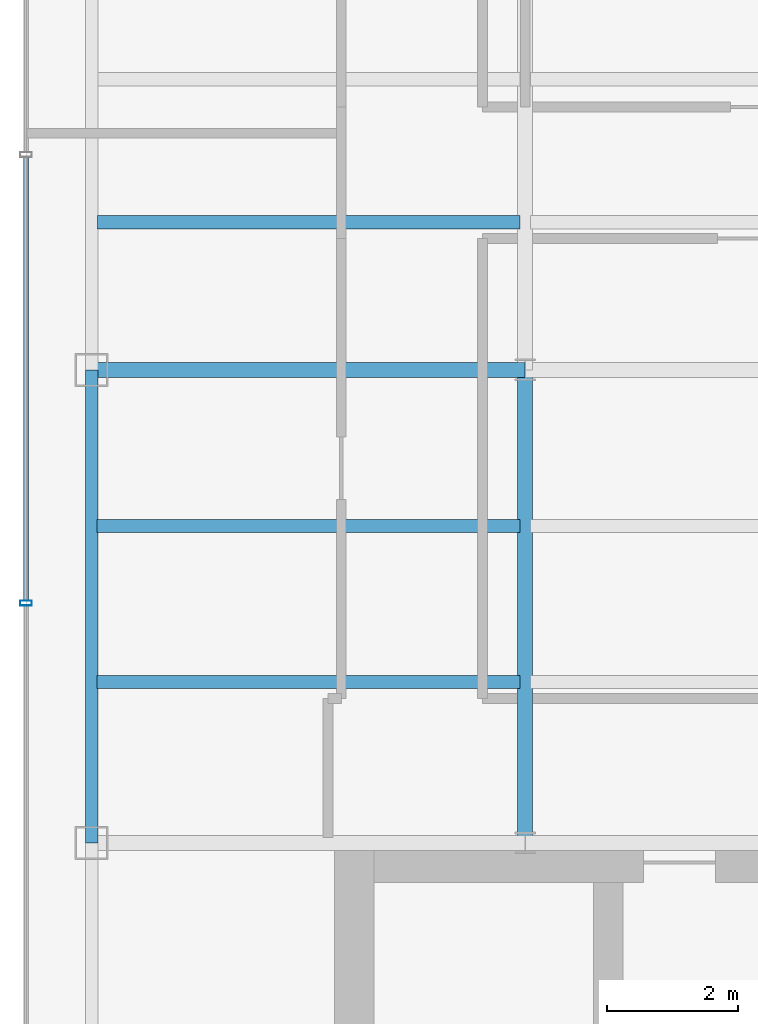
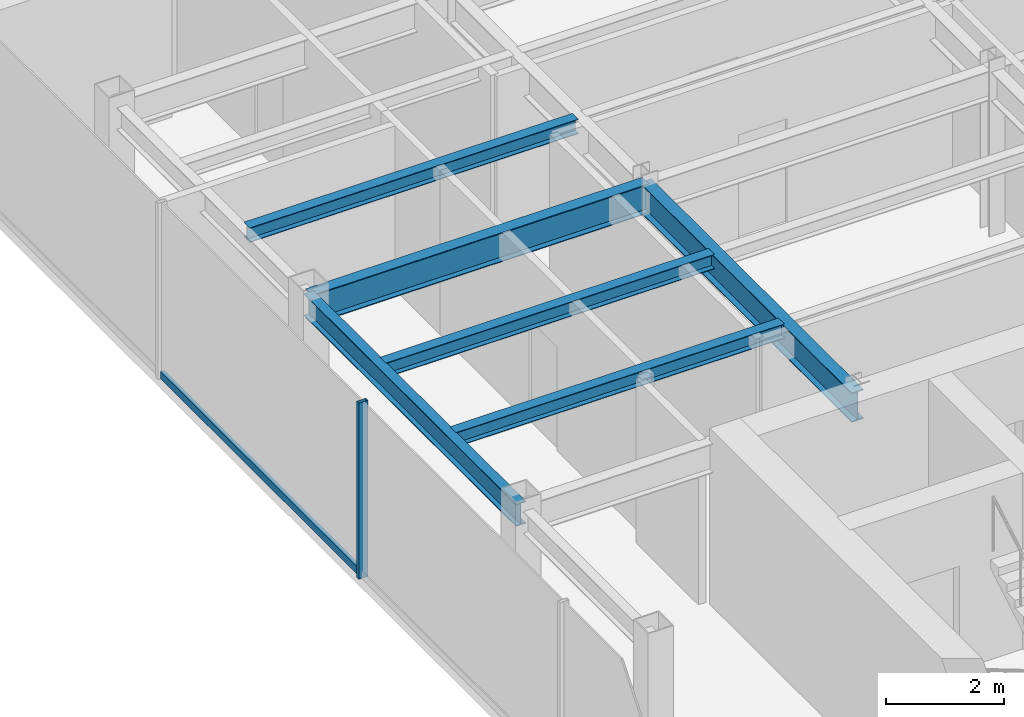
# One storey, part 5 of 22: 6 beams, 2 members, 1 element without a shape of its own.
"""IFC4 building model written with IfcOpenShell, lengths in metres."""

import ifcopenshell
import ifcopenshell.guid

model = None  # the IFC model being written
_history = None  # IfcOwnerHistory: only IFC2X3 demands one
_inside = {}  # id of a spatial element -> (the spatial element, [elements in it])
_under = {}  # id of a project, library or spatial element -> (it, [spatial elements below it])
_declared = {}  # id of a project -> (the project, [libraries it declares])
_typed = {}  # id of a type object -> (the type object, [elements of that type])
_made_of = {}  # id of a material, layer set ... -> (it, [elements and type objects made of it])


def new_model(schema):
    """Start an empty IFC model of exactly this schema.

    Asked for "IFC4X3", IfcOpenShell would pick the latest addendum, in which some entities
    have other attributes; the version numbers below select the first issue.
    IFC2X3 requires an IfcOwnerHistory on every rooted entity: one is made here for all.
    """
    global model, _history
    if schema == "IFC4X3":
        model = ifcopenshell.file(schema_version=(4, 3, 0, 0))
    else:
        model = ifcopenshell.file(schema=schema)
    _inside.clear()
    _under.clear()
    _declared.clear()
    _typed.clear()
    _made_of.clear()
    _history = None
    if model.schema == "IFC2X3":
        org = make("IfcOrganization", Name="unknown")
        user = make(
            "IfcPersonAndOrganization",
            ThePerson=make("IfcPerson", FamilyName="unknown"),
            TheOrganization=org,
        )
        app = make(
            "IfcApplication",
            ApplicationDeveloper=org,
            Version="unknown",
            ApplicationFullName="unknown",
            ApplicationIdentifier="unknown",
        )
        _history = make(
            "IfcOwnerHistory",
            OwningUser=user,
            OwningApplication=app,
            ChangeAction="ADDED",
            CreationDate=0,
        )
    return model


def make(cls, **values):
    """One entity of the class cls with the attributes given. An attribute that is None is left unset."""
    return model.create_entity(
        cls, **{name: value for name, value in values.items() if value is not None}
    )


def rooted(cls, **values):
    """An entity with a GlobalId (a new one), such as an element, a storey or a relation."""
    return make(cls, GlobalId=ifcopenshell.guid.new(), OwnerHistory=_history, **values)


def si_unit(unit_type, name, prefix=None):
    """IfcSIUnit, for example si_unit("LENGTHUNIT", "METRE", prefix="MILLI")."""
    return make("IfcSIUnit", UnitType=unit_type, Prefix=prefix, Name=name)


def derived_unit(unit_type, elements):
    """IfcDerivedUnit: a product of units, each with its exponent."""
    return make(
        "IfcDerivedUnit",
        Elements=[
            make("IfcDerivedUnitElement", Unit=unit, Exponent=power)
            for unit, power in elements
        ],
        UnitType=unit_type,
    )


def assignment(units):
    """IfcUnitAssignment: the units of a project."""
    return None if units is None else make("IfcUnitAssignment", Units=units)


def point(xyz):
    """IfcCartesianPoint."""
    return None if xyz is None else make("IfcCartesianPoint", Coordinates=xyz)


def direction(xyz):
    """IfcDirection."""
    return None if xyz is None else make("IfcDirection", DirectionRatios=xyz)


def frame(location, z_axis=None, x_axis=None):
    """IfcAxis2Placement3D, a coordinate frame: its origin and axes. An axis left out is left unset."""
    return make(
        "IfcAxis2Placement3D",
        Location=point(location),
        Axis=direction(z_axis),
        RefDirection=direction(x_axis),
    )


def frame_2d(location, x_axis=None):
    """IfcAxis2Placement2D, a coordinate frame in the plane: its origin and x axis."""
    return make(
        "IfcAxis2Placement2D", Location=point(location), RefDirection=direction(x_axis)
    )


def origin():
    """The frame at (0, 0, 0) with its axes left unset."""
    return frame((0.0, 0.0, 0.0))


def origin_2d():
    """The frame at (0, 0) in the plane with its x axis left unset."""
    return frame_2d((0.0, 0.0))


def place(relative_to, where):
    """IfcLocalPlacement: puts the frame where relative to a parent placement (None: the world)."""
    return make(
        "IfcLocalPlacement", PlacementRelTo=relative_to, RelativePlacement=where
    )


def context(
    kind, dimensions, precision=None, world=None, true_north=None, identifier=None
):
    """IfcGeometricRepresentationContext, for example the 3D "Model" context."""
    return make(
        "IfcGeometricRepresentationContext",
        ContextIdentifier=identifier,
        ContextType=kind,
        CoordinateSpaceDimension=dimensions,
        Precision=precision,
        WorldCoordinateSystem=world,
        TrueNorth=true_north,
    )


def subcontext(parent, identifier, kind, view, scale=None):
    """IfcGeometricRepresentationSubContext, for example "Body" below "Model"."""
    return make(
        "IfcGeometricRepresentationSubContext",
        ContextIdentifier=identifier,
        ContextType=kind,
        ParentContext=parent,
        TargetScale=scale,
        TargetView=view,
    )


def project(units=None, contexts=None):
    """IfcProject with its units and contexts."""
    return rooted(
        "IfcProject",
        Name="project",
        RepresentationContexts=contexts,
        UnitsInContext=assignment(units),
    )


def spatial(cls, under=None, at=None, **own):
    """A site, building, storey or space (cls), placed at a placement, below another one or the project."""
    s = rooted(cls, ObjectPlacement=at, **own)
    if under is not None:
        _under.setdefault(under.id(), (under, []))[1].append(s)
    return s


def profile(cls, at=None, kind="AREA", **sizes):
    """A parametric profile (cls). Its sizes go by their IFC names, for example OverallWidth=200.0."""
    return make(cls, ProfileType=kind, Position=at, **sizes)


def hollow_rectangle(**sizes):
    """IfcRectangleHollowProfileDef."""
    return profile("IfcRectangleHollowProfileDef", **sizes)


def i_section(**sizes):
    """IfcIShapeProfileDef."""
    return profile("IfcIShapeProfileDef", **sizes)


def extrude(swept, where, along, depth):
    """IfcExtrudedAreaSolid: the profile swept, set in the frame where, extruded along a direction by depth."""
    return make(
        "IfcExtrudedAreaSolid",
        SweptArea=swept,
        Position=where,
        ExtrudedDirection=direction(along),
        Depth=depth,
    )


def shape(context_of_items, identifier, shape_type, items):
    """IfcShapeRepresentation: the items that make up one representation, for example the "Body"."""
    return make(
        "IfcShapeRepresentation",
        ContextOfItems=context_of_items,
        RepresentationIdentifier=identifier,
        RepresentationType=shape_type,
        Items=items,
    )


def source(mapping_origin, context_of_items, identifier, shape_type, items):
    """IfcRepresentationMap: a shape defined once, which mapped items show again and again."""
    return make(
        "IfcRepresentationMap",
        MappingOrigin=mapping_origin,
        MappedRepresentation=shape(context_of_items, identifier, shape_type, items),
    )


def transform(
    local_origin,
    x_axis=None,
    y_axis=None,
    z_axis=None,
    scale=None,
    scale2=None,
    scale3=None,
    uniform=True,
):
    """IfcCartesianTransformationOperator3D, or its non-uniform kind. x_axis, y_axis, z_axis: its Axis1, 2, 3."""
    if uniform:
        return make(
            "IfcCartesianTransformationOperator3D",
            Axis1=direction(x_axis),
            Axis2=direction(y_axis),
            LocalOrigin=point(local_origin),
            Scale=scale,
            Axis3=direction(z_axis),
        )
    return make(
        "IfcCartesianTransformationOperator3DnonUniform",
        Axis1=direction(x_axis),
        Axis2=direction(y_axis),
        LocalOrigin=point(local_origin),
        Scale=scale,
        Axis3=direction(z_axis),
        Scale2=scale2,
        Scale3=scale3,
    )


def mapped(mapping_source, mapping_target):
    """IfcMappedItem: shows the shape of a source again, moved by a transform."""
    return make(
        "IfcMappedItem", MappingSource=mapping_source, MappingTarget=mapping_target
    )


def material(Name=None, Category=None):
    """IfcMaterial."""
    return make("IfcMaterial", Name=Name, Category=Category)


def material_profile(
    of_material, cross_section, Name=None, Category=None, Priority=None
):
    """IfcMaterialProfile: a cross section and its material."""
    return make(
        "IfcMaterialProfile",
        Name=Name,
        Material=of_material,
        Profile=cross_section,
        Priority=Priority,
        Category=Category,
    )


def profile_set(profiles, Name=None, composite=None):
    """IfcMaterialProfileSet."""
    return make(
        "IfcMaterialProfileSet",
        Name=Name,
        MaterialProfiles=profiles,
        CompositeProfile=composite,
    )


def made_of(thing, what):
    """Note that an element or type object is made of a material, layer set ...; save() writes the relation."""
    if what is not None:
        _made_of.setdefault(what.id(), (what, []))[1].append(thing)
    return thing


def type_object(cls, material=None, **own):
    """A type object (cls), such as IfcWallType, which elements share."""
    return made_of(rooted(cls, **own), material)


def element(
    cls,
    number,
    at=None,
    inside=None,
    cuts=None,
    type_object=None,
    material=None,
    context=None,
    identifier="Body",
    shape_type=None,
    held_by="IfcProductDefinitionShape",
    body=None,
    shapes=None,
    **own,
):
    """One element of the class cls, such as IfcWall. Its Tag is "e" and its number.

    at: its placement. inside: the storey or other place that contains it. cuts: it is an
    opening in that element (IfcRelVoidsElement). A single representation is given by context,
    identifier, shape_type and body (its items); several are given by shapes. held_by: the class
    of the entity that holds the representations. save() writes the other relations.
    """
    e = rooted(cls, Tag="e%d" % number, ObjectPlacement=at, **own)
    if body is not None:
        shapes = [shape(context, identifier, shape_type, body)]
    if shapes is not None:
        e.Representation = make(held_by, Representations=shapes)
    if inside is not None:
        _inside.setdefault(inside.id(), (inside, []))[1].append(e)
    if cuts is not None:
        rooted(
            "IfcRelVoidsElement", RelatingBuildingElement=cuts, RelatedOpeningElement=e
        )
    if type_object is not None:
        _typed.setdefault(type_object.id(), (type_object, []))[1].append(e)
    return made_of(e, material)


def aggregate(whole, parts):
    """IfcRelAggregates: a whole, such as a stair, and the parts it consists of."""
    return rooted("IfcRelAggregates", RelatingObject=whole, RelatedObjects=parts)


def save(model, path):
    """Write the relations noted so far, then the file.

    IfcRelAggregates (storeys below a building ...), IfcRelContainedInSpatialStructure (elements
    in a storey), IfcRelDefinesByType, IfcRelAssociatesMaterial and IfcRelDeclares: one each for
    every whole, place, type object, material and project.
    """
    for whole, parts in _under.values():
        aggregate(whole, parts)
    for where, things in _inside.values():
        rooted(
            "IfcRelContainedInSpatialStructure",
            RelatedElements=things,
            RelatingStructure=where,
        )
    for kind, things in _typed.values():
        rooted("IfcRelDefinesByType", RelatedObjects=things, RelatingType=kind)
    for what, things in _made_of.values():
        rooted("IfcRelAssociatesMaterial", RelatedObjects=things, RelatingMaterial=what)
    for by, libraries in _declared.values():
        rooted("IfcRelDeclares", RelatingContext=by, RelatedDefinitions=libraries)
    model.write(path)


model = new_model("IFC4")

# Units and contexts
model_context = context("Model", 3, precision=1e-05, world=origin(), true_north=direction((0.0, 1.0)))
body_context = subcontext(model_context, "Body", "Model", "MODEL_VIEW")
ifc_project = project(units=[si_unit("LENGTHUNIT", "METRE"), si_unit("AREAUNIT", "SQUARE_METRE"), si_unit("VOLUMEUNIT", "CUBIC_METRE"), si_unit("PLANEANGLEUNIT", "RADIAN"), si_unit("MASSUNIT", "GRAM", prefix="KILO"), derived_unit("THERMALTRANSMITTANCEUNIT", [(si_unit("POWERUNIT", "WATT"), 1), (si_unit("LENGTHUNIT", "METRE"), -2), (si_unit("THERMODYNAMICTEMPERATUREUNIT", "KELVIN"), -1)])], contexts=[model_context])

# Site, building, storey
site_placement = place(None, origin())
site = spatial("IfcSite", under=ifc_project, at=site_placement, CompositionType="ELEMENT")
building_placement = place(site_placement, origin())
building = spatial("IfcBuilding", under=site, at=building_placement, Name="Skarnbrae Concourse Arena and Tower", CompositionType="ELEMENT")
storey_placement = place(building_placement, frame((0.0, 0.0, 251.5)))
storey = spatial("IfcBuildingStorey", under=building, at=storey_placement, Name="L65", CompositionType="ELEMENT", Elevation=251.5)

# Beams
ifc_material_1 = material(Name="Steel CSA G40.21 350W", Category="steel")
ifc_material_profile_1 = material_profile(ifc_material_1, i_section(OverallWidth=0.22802734375, OverallDepth=0.60791015625, WebThickness=0.01123046875, FlangeThickness=0.017333984375, at=origin_2d()), Name="W610X113")
ifc_profile_set_1 = profile_set([ifc_material_profile_1], Name="Steel CSA G40.21 350W")
beam_type_1 = type_object("IfcBeamType", Name="BM-GIRD-W610X113", PredefinedType="BEAM", material=ifc_profile_set_1)
shared_shape_1 = source(origin(), body_context, "Body", "SweptSolid", [
    extrude(i_section(OverallWidth=0.22802734375, OverallDepth=0.60791015625, WebThickness=0.01123046875, FlangeThickness=0.017333984375, at=origin_2d()), origin(), (0.0, 0.0, 1.0), 6.60009765625),
])
beam_1_placement = place(storey_placement, frame((1.0, 21.199951171875, 3.095947265625), z_axis=(1.0, 0.0, 0.0), x_axis=(0.0, 1.0, 0.0)))
element("IfcBeam", 1, at=beam_1_placement, inside=storey, type_object=beam_type_1, Name="L65 Primary E-W girder Y21.2-1", PredefinedType="BEAM", context=body_context, shape_type="MappedRepresentation", body=[
    mapped(shared_shape_1, transform((0.0, 0.0, 0.0))),
])
ifc_material_profile_2 = material_profile(ifc_material_1, i_section(OverallWidth=0.19091796875, OverallDepth=0.4599609375, WebThickness=0.010009765625, FlangeThickness=0.01611328125, at=origin_2d()), Name="W460X82")
ifc_profile_set_2 = profile_set([ifc_material_profile_2], Name="Steel CSA G40.21 350W")
beam_type_2 = type_object("IfcBeamType", Name="BM-SPAN-W460X82", PredefinedType="SPANDREL", material=ifc_profile_set_2)
shared_shape_2 = source(origin(), body_context, "Body", "SweptSolid", [
    extrude(i_section(OverallWidth=0.19091796875, OverallDepth=0.4599609375, WebThickness=0.010009765625, FlangeThickness=0.01611328125, at=origin_2d()), origin(), (0.0, 0.0, 1.0), 7.199951171875),
])
beam_2_placement = place(storey_placement, frame((1.0, 14.0, 3.169921875), z_axis=(0.0, 1.0, 0.0), x_axis=(-1.0, 0.0, 0.0)))
element("IfcBeam", 2, at=beam_2_placement, inside=storey, type_object=beam_type_2, Name="L65 Perimeter spandrel X1.0-2", PredefinedType="SPANDREL", context=body_context, shape_type="MappedRepresentation", body=[
    mapped(shared_shape_2, transform((0.0, 0.0, 0.0))),
])
shared_shape_3 = source(origin(), body_context, "Body", "SweptSolid", [
    extrude(i_section(OverallWidth=0.22802734375, OverallDepth=0.60791015625, WebThickness=0.01123046875, FlangeThickness=0.017333984375, at=origin_2d()), origin(), (0.0, 0.0, 1.0), 7.199951171875),
])
beam_3_placement = place(storey_placement, frame((7.60009765625, 14.0, 3.095947265625), z_axis=(0.0, 1.0, 0.0), x_axis=(-1.0, 0.0, 0.0)))
element("IfcBeam", 3, at=beam_3_placement, inside=storey, type_object=beam_type_1, Name="L65 Primary N-S girder X7.6-1", PredefinedType="BEAM", context=body_context, shape_type="MappedRepresentation", body=[
    mapped(shared_shape_3, transform((0.0, 0.0, 0.0))),
])
ifc_material_profile_3 = material_profile(ifc_material_1, i_section(OverallWidth=0.202880859375, OverallDepth=0.302978515625, WebThickness=0.007568359375, FlangeThickness=0.01318359375, at=origin_2d()), Name="W310X60")
ifc_profile_set_3 = profile_set([ifc_material_profile_3], Name="Steel CSA G40.21 350W")
beam_type_3 = type_object("IfcBeamType", Name="BM-JOIST-W310X60", PredefinedType="JOIST", material=ifc_profile_set_3)
shared_shape_4 = source(origin(), body_context, "Body", "SweptSolid", [
    extrude(i_section(OverallWidth=0.202880859375, OverallDepth=0.302978515625, WebThickness=0.007568359375, FlangeThickness=0.01318359375, at=origin_2d()), origin(), (0.0, 0.0, 1.0), 6.43994140625),
])
for number, where, z_axis, x_axis, name in (
    (4, (1.080078125, 16.447998046875, 3.24853515625), (1.0, 0.0, 0.0), (0.0, 1.0, 0.0), "L65 Secondary floor joist 1.1.1"),
    (5, (1.080078125, 18.823974609375, 3.24853515625), (1.0, 0.0, 0.0), (0.0, 1.0, 0.0), "L65 Secondary floor joist 1.2.1"),
    (6, (1.080078125, 23.444091796875, 3.24853515625), (1.0, 0.0, 0.0), (0.0, 1.0, 0.0), "L65 Secondary floor joist 2.1.1"),
):
    element("IfcBeam", number, at=place(storey_placement, frame(where, z_axis=z_axis, x_axis=x_axis)), inside=storey, type_object=beam_type_3, Name=name, PredefinedType="JOIST", context=body_context, shape_type="MappedRepresentation", body=[
        mapped(shared_shape_4, transform((0.0, 0.0, 0.0))),
    ])

# Curtain wall, members
ifc_material_2 = material(Name="Bronze anodised aluminium 6063-T6", Category="aluminium")
curtain_wall_type = type_object("IfcCurtainWallType", Name="CW-SYS-05-HIGHZONE", PredefinedType="USERDEFINED", material=ifc_material_2)
curtain_wall_placement = place(storey_placement, origin())
curtain_wall = element("IfcCurtainWall", 7, at=curtain_wall_placement, inside=storey, type_object=curtain_wall_type, Name="L65 Unitised curtain wall CW-L65-E18", ObjectType="UNITISED CURTAIN WALL", PredefinedType="USERDEFINED")
ifc_material_profile_4 = material_profile(ifc_material_2, hollow_rectangle(XDim=0.074951171875, YDim=0.179931640625, WallThickness=0.00390625, at=origin_2d()), Name="ALU-MULL-75X180")
ifc_profile_set_4 = profile_set([ifc_material_profile_4], Name="Bronze anodised aluminium 6063-T6")
member_type_1 = type_object("IfcMemberType", Name="CWM-CW-05", PredefinedType="MULLION", material=ifc_profile_set_4)
shared_shape_5 = source(origin(), body_context, "Body", "SweptSolid", [
    extrude(hollow_rectangle(XDim=0.074951171875, YDim=0.179931640625, WallThickness=0.00390625, at=origin_2d()), origin(), (0.0, 0.0, 1.0), 3.64990234375),
])
member_1_placement = place(storey_placement, frame((0.0, 17.64990234375, 0.0), z_axis=(0.0, 0.0, 1.0), x_axis=(0.0, -1.0, 0.0)))
member_1 = element("IfcMember", 8, at=member_1_placement, type_object=member_type_1, Name="CW-L65-E18 Mullion 3", PredefinedType="MULLION", context=body_context, shape_type="MappedRepresentation", body=[
    mapped(shared_shape_5, transform((0.0, 0.0, 0.0))),
])
ifc_material_profile_5 = material_profile(ifc_material_2, hollow_rectangle(XDim=0.074951171875, YDim=0.14990234375, WallThickness=0.00390625, at=origin_2d()), Name="ALU-TRAN-75X150")
ifc_profile_set_5 = profile_set([ifc_material_profile_5], Name="Bronze anodised aluminium 6063-T6")
member_type_2 = type_object("IfcMemberType", Name="CWT-CW-05", PredefinedType="USERDEFINED", material=ifc_profile_set_5)
shared_shape_6 = source(origin(), body_context, "Body", "SweptSolid", [
    extrude(hollow_rectangle(XDim=0.074951171875, YDim=0.14990234375, WallThickness=0.00390625, at=origin_2d()), origin(), (0.0, 0.0, 1.0), 6.75),
])
member_2_placement = place(storey_placement, frame((0.0, 24.4375, 0.074951171875), z_axis=(0.0, -1.0, 0.0), x_axis=(1.0, 0.0, 0.0)))
member_2 = element("IfcMember", 9, at=member_2_placement, type_object=member_type_2, Name="CW-L65-E18 Transom 2", ObjectType="TRANSOM", PredefinedType="USERDEFINED", context=body_context, shape_type="MappedRepresentation", body=[
    mapped(shared_shape_6, transform((0.0, 0.0, 0.0))),
])
aggregate(curtain_wall, [member_1, member_2])

save(model, "model.ifc")
